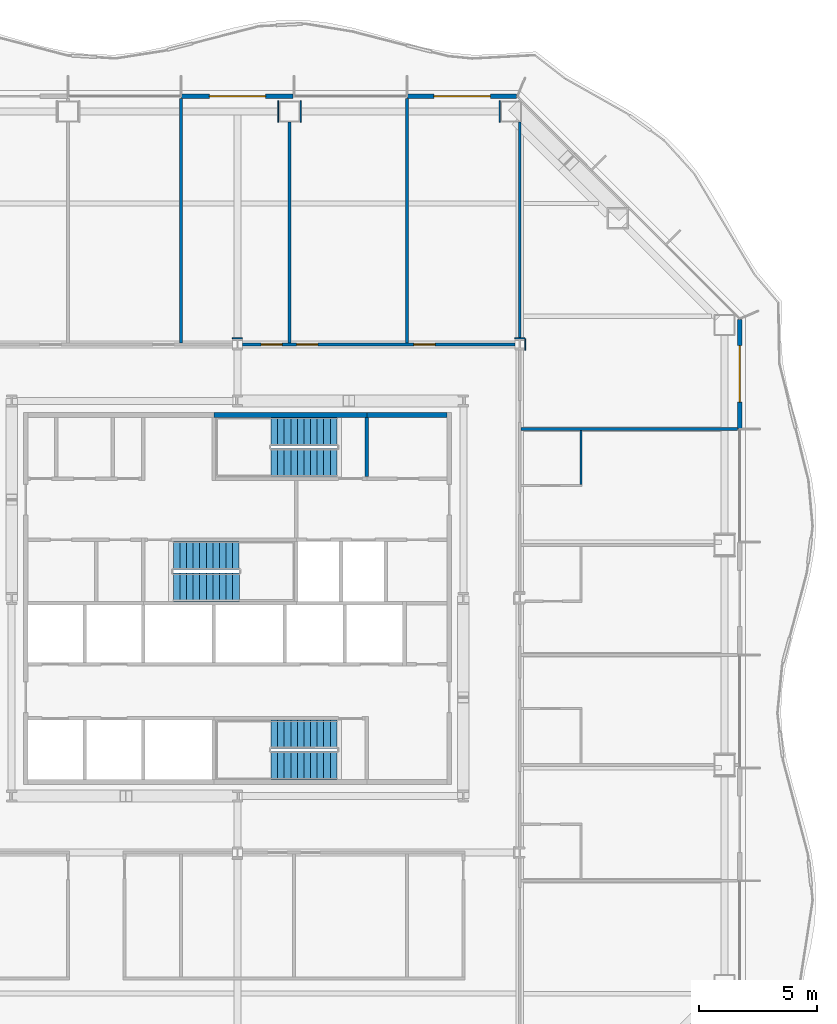
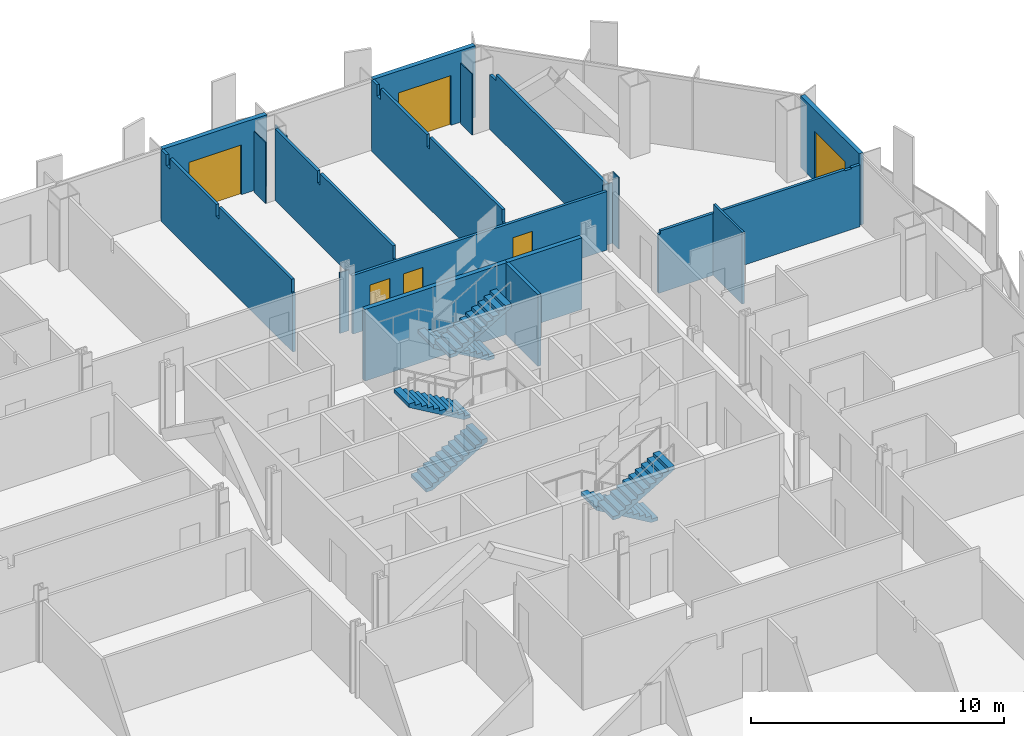
# One storey, part 13 of 18: 19 walls, 6 doors, 6 stair flights, 6 openings, 3 elements without a shape of their own.
"""IFC4 building model written with IfcOpenShell, lengths in metres."""

from ifc_helpers import new_model, si_unit, direction, frame, frame_2d, origin, place, context, subcontext, project, spatial, polyline, rectangle, outline, extrude, material, layer, layer_set, type_object, element, fill, aggregate, save


model = new_model("IFC4")

# Units and contexts
model_context = context("Model", 3, precision=1e-05, world=origin(), true_north=direction((0.0, 1.0)))
body_context = subcontext(model_context, "Body", "Model", "MODEL_VIEW")
ifc_project = project(units=[si_unit("LENGTHUNIT", "METRE"), si_unit("AREAUNIT", "SQUARE_METRE"), si_unit("VOLUMEUNIT", "CUBIC_METRE"), si_unit("PLANEANGLEUNIT", "RADIAN"), si_unit("MASSUNIT", "GRAM", prefix="KILO")], contexts=[model_context])

# Site, building, storey
site_placement = place(None, origin())
site = spatial("IfcSite", under=ifc_project, at=site_placement, CompositionType="ELEMENT")
building_placement = place(site_placement, origin())
building = spatial("IfcBuilding", under=site, at=building_placement, Name="Cairn Pilgrim Tower", CompositionType="ELEMENT")
storey_placement = place(building_placement, frame((0.0, 0.0, 65.39990234375)))
storey = spatial("IfcBuildingStorey", under=building, at=storey_placement, Name="L14", CompositionType="ELEMENT", Elevation=65.39990234375)

# Wall, opening, door
ifc_material_1 = material(Name="Bronze anodised aluminium insulated sandwich panel with mineral wool fill", Category="aluminium")
ifc_layer_1 = layer(ifc_material_1, 0.199951171875)
ifc_layer_set_1 = layer_set([ifc_layer_1], Name="BRONZE INFILL FRAME WALL 200")
wall_type_1 = type_object("IfcWallType", Name="BRONZE INFILL FRAME WALL 200", PredefinedType="NOTDEFINED", material=ifc_layer_set_1)
wall_1_placement = place(storey_placement, frame((28.550048828125, 9.6298828125, 0.0), z_axis=(0.0, 0.0, 1.0), x_axis=(0.0, 1.0, 0.0)))
wall_1 = element("IfcWall", 1, at=wall_1_placement, inside=storey, type_object=wall_type_1, Name="Bronze infill frame wall IW-E6", PredefinedType="NOTDEFINED", context=body_context, shape_type="SweptSolid", body=[
    extrude(rectangle(XDim=4.62646484375, YDim=0.199951171875, at=frame_2d((2.313232421875, 0.0))), origin(), (0.0, 0.0, 1.0), 3.4501953125),
])
opening_1_placement = place(wall_1_placement, frame((1.117919921875, 0.0, 0.0)))
opening_1 = element("IfcOpeningElement", 2, at=opening_1_placement, cuts=wall_1, Name="Opening 1428B", PredefinedType="OPENING", context=body_context, shape_type="SweptSolid", body=[
    extrude(rectangle(XDim=2.39990234375, YDim=2.39990234375, at=frame_2d((1.199951171875, 1.199951171875))), frame((0.0, 0.10986328125, 0.0), z_axis=(0.0, -1.0, 0.0), x_axis=(1.0, 0.0, 0.0)), (0.0, 0.0, 1.0), 0.219970703125),
])
ifc_material_2 = material(Name="Bronze anodised aluminium frame with tinted low-E glass", Category="aluminium")
door_type_1 = type_object("IfcDoorType", Name="BALCONY SLIDING DOOR 2400x2400", OperationType="DOUBLE_DOOR_SLIDING", PredefinedType="DOOR", material=ifc_material_2)
door_1_placement = place(opening_1_placement, origin())
door_1 = element("IfcDoor", 3, at=door_1_placement, inside=storey, type_object=door_type_1, Name="Balcony sliding door 1428B", OperationType="SINGLE_SWING_LEFT", OverallHeight=2.39990234375, OverallWidth=2.39990234375, PredefinedType="DOOR", context=body_context, shape_type="SweptSolid", body=[
    extrude(rectangle(XDim=2.39990234375, YDim=2.39990234375, at=frame_2d((1.199951171875, 1.199951171875))), frame((0.0, 0.02490234375, 0.0), z_axis=(0.0, -1.0, 0.0), x_axis=(1.0, 0.0, 0.0)), (0.0, 0.0, 1.0), 0.050048828125),
])
fill(opening_1, door_1)

wall_2_placement = place(storey_placement, frame((19.056396484375, 23.75, 0.0), z_axis=(0.0, 0.0, 1.0), x_axis=(-1.0, 0.0, 0.0)))
wall_2 = element("IfcWall", 4, at=wall_2_placement, inside=storey, type_object=wall_type_1, Name="Bronze infill frame wall IW-N1", PredefinedType="NOTDEFINED", context=body_context, shape_type="SweptSolid", body=[
    extrude(rectangle(XDim=4.62646484375, YDim=0.199951171875, at=frame_2d((2.313232421875, 0.0))), origin(), (0.0, 0.0, 1.0), 3.4501953125),
])
opening_2_placement = place(wall_2_placement, frame((1.108154296875, 0.0, 0.0)))
opening_2 = element("IfcOpeningElement", 5, at=opening_2_placement, cuts=wall_2, Name="Opening 1422B", PredefinedType="OPENING", context=body_context, shape_type="SweptSolid", body=[
    extrude(rectangle(XDim=2.39990234375, YDim=2.39990234375, at=frame_2d((1.199951171875, 1.199951171875))), frame((0.0, 0.10986328125, 0.0), z_axis=(0.0, -1.0, 0.0), x_axis=(1.0, 0.0, 0.0)), (0.0, 0.0, 1.0), 0.219970703125),
])
door_2_placement = place(opening_2_placement, origin())
door_2 = element("IfcDoor", 6, at=door_2_placement, inside=storey, type_object=door_type_1, Name="Balcony sliding door 1422B", OperationType="SINGLE_SWING_LEFT", OverallHeight=2.39990234375, OverallWidth=2.39990234375, PredefinedType="DOOR", context=body_context, shape_type="SweptSolid", body=[
    extrude(rectangle(XDim=2.39990234375, YDim=2.39990234375, at=frame_2d((1.199951171875, 1.199951171875))), frame((0.0, 0.02490234375, 0.0), z_axis=(0.0, -1.0, 0.0), x_axis=(1.0, 0.0, 0.0)), (0.0, 0.0, 1.0), 0.050048828125),
])
fill(opening_2, door_2)

wall_3_placement = place(storey_placement, frame((9.570068359375, 23.75, 0.0), z_axis=(0.0, 0.0, 1.0), x_axis=(-1.0, 0.0, 0.0)))
wall_3 = element("IfcWall", 7, at=wall_3_placement, inside=storey, type_object=wall_type_1, Name="Bronze infill frame wall IW-N3", PredefinedType="NOTDEFINED", context=body_context, shape_type="SweptSolid", body=[
    extrude(rectangle(XDim=4.739990234375, YDim=0.199951171875, at=frame_2d((2.3701171875, 0.0))), origin(), (0.0, 0.0, 1.0), 3.4501953125),
])
opening_3_placement = place(wall_3_placement, frame((1.169921875, 0.0, 0.0)))
opening_3 = element("IfcOpeningElement", 8, at=opening_3_placement, cuts=wall_3, Name="Opening 1420B", PredefinedType="OPENING", context=body_context, shape_type="SweptSolid", body=[
    extrude(rectangle(XDim=2.39990234375, YDim=2.39990234375, at=frame_2d((1.199951171875, 1.199951171875))), frame((0.0, 0.10986328125, 0.0), z_axis=(0.0, -1.0, 0.0), x_axis=(1.0, 0.0, 0.0)), (0.0, 0.0, 1.0), 0.219970703125),
])
door_3_placement = place(opening_3_placement, origin())
door_3 = element("IfcDoor", 9, at=door_3_placement, inside=storey, type_object=door_type_1, Name="Balcony sliding door 1420B", OperationType="SINGLE_SWING_LEFT", OverallHeight=2.39990234375, OverallWidth=2.39990234375, PredefinedType="DOOR", context=body_context, shape_type="SweptSolid", body=[
    extrude(rectangle(XDim=2.39990234375, YDim=2.39990234375, at=frame_2d((1.199951171875, 1.199951171875))), frame((0.0, 0.02490234375, 0.0), z_axis=(0.0, -1.0, 0.0), x_axis=(1.0, 0.0, 0.0)), (0.0, 0.0, 1.0), 0.050048828125),
])
fill(opening_3, door_3)

# Walls
ifc_material_3 = material(Name="Concrete C32/40", Category="concrete")
ifc_layer_2 = layer(ifc_material_3, 0.199951171875)
ifc_layer_set_2 = layer_set([ifc_layer_2], Name="CORE OUTER WALL 200 EI 120")
wall_type_2 = type_object("IfcWallType", Name="CORE OUTER WALL 200 EI 120", PredefinedType="SOLIDWALL", material=ifc_layer_set_2)
wall_4_placement = place(storey_placement, frame((12.699951171875, 10.199951171875, 0.0), z_axis=(0.0, 0.0, 1.0), x_axis=(1.0, 0.0, 0.0)))
element("IfcWall", 10, at=wall_4_placement, inside=storey, type_object=wall_type_2, Name="CW:L14:H11-3", PredefinedType="SOLIDWALL", context=body_context, shape_type="SweptSolid", body=[
    extrude(rectangle(XDim=3.400146484375, YDim=0.199951171875, at=frame_2d((1.7001953125, 0.0))), origin(), (0.0, 0.0, 1.0), 3.4501953125),
])
ifc_material_4 = material(Name="Gypsum partition")
ifc_layer_3 = layer(ifc_material_4, 0.10009765625)
ifc_layer_set_3 = layer_set([ifc_layer_3], Name="PARTITION 100 DRYWALL")
wall_type_3 = type_object("IfcWallType", Name="PARTITION 100 DRYWALL", PredefinedType="PARTITIONING", material=ifc_layer_set_3)
wall_5_placement = place(storey_placement, frame((21.800048828125, 7.25, 0.0), z_axis=(0.0, 0.0, 1.0), x_axis=(0.0, 1.0, 0.0)))
element("IfcWall", 11, at=wall_5_placement, inside=storey, type_object=wall_type_3, Name="PARTITION W058", PredefinedType="PARTITIONING", context=body_context, shape_type="SweptSolid", body=[
    extrude(outline(polyline([(0.0, 0.0), (2.28759765625, 0.0), (2.28759765625, 2.97998046875), (2.2548828125, 2.97998046875), (2.2529296875, 3.4501953125), (0.0, 3.4501953125), (0.0, 0.0)])), frame((0.0, 0.050048828125, 0.0), z_axis=(0.0, -1.0, 0.0), x_axis=(1.0, 0.0, 0.0)), (0.0, 0.0, 1.0), 0.10009765625),
])
ifc_layer_4 = layer(ifc_material_4, 0.125)
ifc_layer_set_4 = layer_set([ifc_layer_4], Name="PARTITION 125 DRYWALL EI 60")
wall_type_4 = type_object("IfcWallType", Name="PARTITION 125 DRYWALL EI 60", PredefinedType="PARTITIONING", material=ifc_layer_set_4)
wall_6_placement = place(storey_placement, frame((19.262451171875, 9.60009765625, 0.0), z_axis=(0.0, 0.0, 1.0), x_axis=(1.0, 0.0, 0.0)))
element("IfcWall", 12, at=wall_6_placement, inside=storey, type_object=wall_type_4, Name="PARTITION W060", PredefinedType="PARTITIONING", context=body_context, shape_type="SweptSolid", body=[
    extrude(outline(polyline([(0.0, 0.0), (9.1875, 0.0), (9.1875, 2.97998046875), (8.78759765625, 2.97998046875), (8.785400390625, 2.93017578125), (8.487548828125, 2.93017578125), (8.485595703125, 2.97998046875), (0.08740234375, 2.97998046875), (0.08544921875, 2.830078125), (0.0, 2.830078125), (0.0, 0.0)])), frame((0.0, 0.0625, 0.0), z_axis=(0.0, -1.0, 0.0), x_axis=(1.0, 0.0, 0.0)), (0.0, 0.0, 1.0), 0.125),
])

# Wall, openings, doors
wall_7_placement = place(storey_placement, frame((7.412109375, 13.199951171875, 0.0), z_axis=(0.0, 0.0, 1.0), x_axis=(1.0, 0.0, 0.0)))
wall_7 = element("IfcWall", 13, at=wall_7_placement, inside=storey, type_object=wall_type_4, Name="PARTITION W065", PredefinedType="PARTITIONING", context=body_context, shape_type="SweptSolid", body=[
    extrude(rectangle(XDim=11.575927734375, YDim=0.125, at=frame_2d((5.7880859375, 0.0))), origin(), (0.0, 0.0, 1.0), 2.830078125),
])
opening_4_placement = place(wall_7_placement, frame((0.7880859375, 0.0, 0.0)))
opening_4 = element("IfcOpeningElement", 14, at=opening_4_placement, cuts=wall_7, Name="Opening 1420", PredefinedType="OPENING", context=body_context, shape_type="SweptSolid", body=[
    extrude(rectangle(XDim=0.89990234375, YDim=2.10009765625, at=frame_2d((0.449951171875, 1.050048828125))), frame((0.0, 0.072509765625, 0.0), z_axis=(0.0, -1.0, 0.0), x_axis=(1.0, 0.0, 0.0)), (0.0, 0.0, 1.0), 0.14501953125),
])
opening_5_placement = place(wall_7_placement, frame((2.302001953125, 0.0, 0.0)))
opening_5 = element("IfcOpeningElement", 15, at=opening_5_placement, cuts=wall_7, Name="Opening 1421", PredefinedType="OPENING", context=body_context, shape_type="SweptSolid", body=[
    extrude(rectangle(XDim=0.89990234375, YDim=2.10009765625, at=frame_2d((0.449951171875, 1.050048828125))), frame((0.0, 0.072509765625, 0.0), z_axis=(0.0, -1.0, 0.0), x_axis=(1.0, 0.0, 0.0)), (0.0, 0.0, 1.0), 0.14501953125),
])
opening_6_placement = place(wall_7_placement, frame((7.2880859375, 0.0, 0.0)))
opening_6 = element("IfcOpeningElement", 16, at=opening_6_placement, cuts=wall_7, Name="Opening 1422", PredefinedType="OPENING", context=body_context, shape_type="SweptSolid", body=[
    extrude(rectangle(XDim=0.89990234375, YDim=2.10009765625, at=frame_2d((0.449951171875, 1.050048828125))), frame((0.0, 0.072509765625, 0.0), z_axis=(0.0, -1.0, 0.0), x_axis=(1.0, 0.0, 0.0)), (0.0, 0.0, 1.0), 0.14501953125),
])
ifc_material_5 = material(Name="Steel-faced fire door leaf", Category="steel")
door_type_2 = type_object("IfcDoorType", Name="FIRE DOOR 900x2100 FD30S", OperationType="NOTDEFINED", PredefinedType="DOOR", material=ifc_material_5)
door_4_placement = place(opening_4_placement, origin())
door_4 = element("IfcDoor", 17, at=door_4_placement, inside=storey, type_object=door_type_2, Name="DOOR 1420", OperationType="SINGLE_SWING_LEFT", OverallHeight=2.10009765625, OverallWidth=0.89990234375, PredefinedType="DOOR", context=body_context, shape_type="SweptSolid", body=[
    extrude(rectangle(XDim=0.89990234375, YDim=2.10009765625, at=frame_2d((0.449951171875, 1.050048828125))), frame((0.0, 0.02490234375, 0.0), z_axis=(0.0, -1.0, 0.0), x_axis=(1.0, 0.0, 0.0)), (0.0, 0.0, 1.0), 0.050048828125),
])
fill(opening_4, door_4)
door_5_placement = place(opening_5_placement, origin())
door_5 = element("IfcDoor", 18, at=door_5_placement, inside=storey, type_object=door_type_2, Name="DOOR 1421", OperationType="SINGLE_SWING_RIGHT", OverallHeight=2.10009765625, OverallWidth=0.89990234375, PredefinedType="DOOR", context=body_context, shape_type="SweptSolid", body=[
    extrude(rectangle(XDim=0.89990234375, YDim=2.10009765625, at=frame_2d((0.449951171875, 1.050048828125))), frame((0.0, 0.02490234375, 0.0), z_axis=(0.0, -1.0, 0.0), x_axis=(1.0, 0.0, 0.0)), (0.0, 0.0, 1.0), 0.050048828125),
])
fill(opening_5, door_5)
door_6_placement = place(opening_6_placement, origin())
door_6 = element("IfcDoor", 19, at=door_6_placement, inside=storey, type_object=door_type_2, Name="DOOR 1422", OperationType="SINGLE_SWING_LEFT", OverallHeight=2.10009765625, OverallWidth=0.89990234375, PredefinedType="DOOR", context=body_context, shape_type="SweptSolid", body=[
    extrude(rectangle(XDim=0.89990234375, YDim=2.10009765625, at=frame_2d((0.449951171875, 1.050048828125))), frame((0.0, 0.02490234375, 0.0), z_axis=(0.0, -1.0, 0.0), x_axis=(1.0, 0.0, 0.0)), (0.0, 0.0, 1.0), 0.050048828125),
])
fill(opening_6, door_6)

# Walls
wall_8_placement = place(storey_placement, frame((4.800048828125, 13.262451171875, 0.0), z_axis=(0.0, 0.0, 1.0), x_axis=(0.0, 1.0, 0.0)))
element("IfcWall", 20, at=wall_8_placement, inside=storey, type_object=wall_type_4, Name="PARTITION W072", PredefinedType="PARTITIONING", context=body_context, shape_type="SweptSolid", body=[
    extrude(outline(polyline([(0.0, 0.0), (10.387451171875, 0.0), (10.387451171875, 3.4501953125), (9.987548828125, 3.4501953125), (9.985595703125, 2.93017578125), (9.6875, 2.93017578125), (9.685546875, 3.4501953125), (6.04248046875, 3.4501953125), (6.04052734375, 2.880126953125), (5.83251953125, 2.880126953125), (5.83056640625, 3.4501953125), (0.08740234375, 3.4501953125), (0.08544921875, 2.830078125), (0.0, 2.830078125), (0.0, 0.0)])), frame((0.0, 0.0625, 0.0), z_axis=(0.0, -1.0, 0.0), x_axis=(1.0, 0.0, 0.0)), (0.0, 0.0, 1.0), 0.125),
])
wall_9_placement = place(storey_placement, frame((9.4140625, 13.262451171875, 0.0), z_axis=(0.0, 0.0, 1.0), x_axis=(0.0, 1.0, 0.0)))
element("IfcWall", 21, at=wall_9_placement, inside=storey, type_object=wall_type_4, Name="PARTITION W073", PredefinedType="PARTITIONING", context=body_context, shape_type="SweptSolid", body=[
    extrude(outline(polyline([(0.0, 0.0), (9.387451171875, 0.0), (9.387451171875, 3.4501953125), (6.04248046875, 3.4501953125), (6.04052734375, 2.880126953125), (5.83251953125, 2.880126953125), (5.83056640625, 3.4501953125), (0.08740234375, 3.4501953125), (0.08544921875, 2.830078125), (0.0, 2.830078125), (0.0, 0.0)])), frame((0.0, 0.0625, 0.0), z_axis=(0.0, -1.0, 0.0), x_axis=(1.0, 0.0, 0.0)), (0.0, 0.0, 1.0), 0.125),
])
wall_10_placement = place(storey_placement, frame((14.39990234375, 13.262451171875, 0.0), z_axis=(0.0, 0.0, 1.0), x_axis=(0.0, 1.0, 0.0)))
element("IfcWall", 22, at=wall_10_placement, inside=storey, type_object=wall_type_4, Name="PARTITION W074", PredefinedType="PARTITIONING", context=body_context, shape_type="SweptSolid", body=[
    extrude(outline(polyline([(0.0, 0.0), (10.387451171875, 0.0), (10.387451171875, 3.4501953125), (9.987548828125, 3.4501953125), (9.985595703125, 2.93017578125), (9.6875, 2.93017578125), (9.685546875, 3.4501953125), (6.04248046875, 3.4501953125), (6.04052734375, 2.880126953125), (5.83251953125, 2.880126953125), (5.83056640625, 3.4501953125), (0.08740234375, 3.4501953125), (0.08544921875, 2.830078125), (0.0, 2.830078125), (0.0, 0.0)])), frame((0.0, 0.0625, 0.0), z_axis=(0.0, -1.0, 0.0), x_axis=(1.0, 0.0, 0.0)), (0.0, 0.0, 1.0), 0.125),
])
wall_11_placement = place(storey_placement, frame((19.199951171875, 13.43701171875, 0.0), z_axis=(0.0, 0.0, 1.0), x_axis=(0.0, 1.0, 0.0)))
element("IfcWall", 23, at=wall_11_placement, inside=storey, type_object=wall_type_4, Name="PARTITION W076", PredefinedType="PARTITIONING", context=body_context, shape_type="SweptSolid", body=[
    extrude(outline(polyline([(0.0, 0.0), (9.212890625, 0.0), (9.212890625, 2.630126953125), (8.732666015625, 2.630126953125), (8.730712890625, 2.93017578125), (0.0, 2.93017578125), (0.0, 0.0)])), frame((0.0, 0.0625, 0.0), z_axis=(0.0, -1.0, 0.0), x_axis=(1.0, 0.0, 0.0)), (0.0, 0.0, 1.0), 0.125),
])
ifc_layer_5 = layer(ifc_material_4, 0.050048828125)
ifc_layer_set_5 = layer_set([ifc_layer_5], Name="PARTITION 50 DRYWALL EI 60")
wall_type_5 = type_object("IfcWallType", Name="PARTITION 50 DRYWALL EI 60", PredefinedType="PARTITIONING", material=ifc_layer_set_5)
wall_12_placement = place(storey_placement, frame((19.43701171875, 12.962890625, 0.0), z_axis=(0.0, 0.0, 1.0), x_axis=(0.0, 1.0, 0.0)))
element("IfcWall", 24, at=wall_12_placement, inside=storey, type_object=wall_type_5, Name="COLUMN CASING WC11", PredefinedType="PARTITIONING", context=body_context, shape_type="SweptSolid", body=[
    extrude(rectangle(XDim=0.47412109375, YDim=0.050048828125, at=frame_2d((0.237060546875, 0.0))), origin(), (0.0, 0.0, 1.0), 3.4501953125),
])
for number, where, z_axis, x_axis, name in (
    (25, (6.988037109375, 13.4619140625, 0.0), (0.0, 0.0, 1.0), (1.0, 0.0, 0.0), "COLUMN CASING WC31"),
    (26, (18.988037109375, 13.4619140625, 0.0), (0.0, 0.0, 1.0), (1.0, 0.0, 0.0), "COLUMN CASING WC32"),
):
    element("IfcWall", number, at=place(storey_placement, frame(where, z_axis=z_axis, x_axis=x_axis)), inside=storey, type_object=wall_type_5, Name=name, PredefinedType="PARTITIONING", context=body_context, shape_type="SweptSolid", body=[
        extrude(rectangle(XDim=0.424072265625, YDim=0.050048828125, at=frame_2d((0.2119140625, 0.0))), origin(), (0.0, 0.0, 1.0), 2.93017578125),
    ])
for number, where, z_axis, x_axis, name in (
    (27, (18.352294921875, 22.64990234375, 0.0), (0.0, 0.0, 1.0), (0.0, 1.0, 0.0), "COLUMN CASING WC33"),
    (28, (8.938720703125, 22.64990234375, 0.0), (0.0, 0.0, 1.0), (0.0, 1.0, 0.0), "COLUMN CASING WC40"),
    (29, (9.888671875, 22.64990234375, 0.0), (0.0, 0.0, 1.0), (0.0, 1.0, 0.0), "COLUMN CASING WC41"),
):
    element("IfcWall", number, at=place(storey_placement, frame(where, z_axis=z_axis, x_axis=x_axis)), inside=storey, type_object=wall_type_5, Name=name, PredefinedType="PARTITIONING", context=body_context, shape_type="SweptSolid", body=[
        extrude(rectangle(XDim=0.900146484375, YDim=0.050048828125, at=frame_2d((0.4501953125, 0.0))), origin(), (0.0, 0.0, 1.0), 2.93017578125),
    ])
ifc_material_6 = material(Name="Concrete C35/45", Category="concrete")
ifc_layer_6 = layer(ifc_material_6, 0.14990234375)
ifc_layer_set_6 = layer_set([ifc_layer_6], Name="STAIR SHAFT WALL 150 EI 120")
wall_type_6 = type_object("IfcWallType", Name="STAIR SHAFT WALL 150 EI 120", PredefinedType="SOLIDWALL", material=ifc_layer_set_6)
wall_13_placement = place(storey_placement, frame((12.699951171875, 7.574951171875, 0.0), z_axis=(0.0, 0.0, 1.0), x_axis=(0.0, 1.0, 0.0)))
element("IfcWall", 30, at=wall_13_placement, inside=storey, type_object=wall_type_6, Name="CW:L14:V31", PredefinedType="SOLIDWALL", context=body_context, shape_type="SweptSolid", body=[
    extrude(rectangle(XDim=2.525146484375, YDim=0.14990234375, at=frame_2d((1.2626953125, 0.0))), origin(), (0.0, 0.0, 1.0), 3.4501953125),
])
ifc_layer_7 = layer(ifc_material_6, 0.199951171875)
ifc_layer_set_7 = layer_set([ifc_layer_7], Name="STAIR SHAFT WALL 200 EI 120")
wall_type_7 = type_object("IfcWallType", Name="STAIR SHAFT WALL 200 EI 120", PredefinedType="SOLIDWALL", material=ifc_layer_set_7)
wall_14_placement = place(storey_placement, frame((6.199951171875, 10.199951171875, 0.0), z_axis=(0.0, 0.0, 1.0), x_axis=(1.0, 0.0, 0.0)))
element("IfcWall", 31, at=wall_14_placement, inside=storey, type_object=wall_type_7, Name="CW:L14:H11-2", PredefinedType="SOLIDWALL", context=body_context, shape_type="SweptSolid", body=[
    extrude(rectangle(XDim=6.5, YDim=0.199951171875, at=frame_2d((3.25, 0.0))), origin(), (0.0, 0.0, 1.0), 3.4501953125),
])

# Stair, stair flights
stair_type = type_object("IfcStairType", Name="EXIT STAIR 1200", PredefinedType="HALF_TURN_STAIR", material=ifc_material_3)
stair_1_placement = place(storey_placement, origin())
stair_1 = element("IfcStair", 32, at=stair_1_placement, inside=storey, type_object=stair_type, Name="L14 Exit Stair A", PredefinedType="HALF_TURN_STAIR")
stair_flight_type = type_object("IfcStairFlightType", Name="STAIR FLIGHT 1200", PredefinedType="STRAIGHT", material=ifc_material_3)
stair_flight_1_placement = place(storey_placement, frame((11.425048828125, -3.375, 0.0), z_axis=(0.0, 0.0, 1.0), x_axis=(-1.0, 0.0, 0.0)))
stair_flight_1 = element("IfcStairFlight", 33, at=stair_flight_1_placement, type_object=stair_flight_type, Name="ST-A flight 1", NumberOfRisers=11, NumberOfTreads=10, PredefinedType="STRAIGHT", RiserHeight=0.163636364, TreadLength=0.28, context=body_context, shape_type="SweptSolid", body=[
    extrude(outline(polyline([(0.0, 0.0), (0.0, 0.16357421875), (0.280029296875, 0.16357421875), (0.280029296875, 0.327392578125), (0.56005859375, 0.327392578125), (0.56005859375, 0.490966796875), (0.840087890625, 0.490966796875), (0.840087890625, 0.654541015625), (1.1201171875, 0.654541015625), (1.1201171875, 0.818115234375), (1.39990234375, 0.818115234375), (1.39990234375, 0.98193359375), (1.679931640625, 0.98193359375), (1.679931640625, 1.1455078125), (1.9599609375, 1.1455078125), (1.9599609375, 1.30908203125), (2.239990234375, 1.30908203125), (2.239990234375, 1.47265625), (2.52001953125, 1.47265625), (2.52001953125, 1.636474609375), (2.800048828125, 1.636474609375), (2.800048828125, 1.800048828125), (2.800048828125, 1.462646484375), (0.297119140625, 0.0), (0.0, 0.0)])), frame((0.0, 0.60009765625, 0.0), z_axis=(0.0, -1.0, 0.0), x_axis=(1.0, 0.0, 0.0)), (0.0, 0.0, 1.0), 1.199951171875),
])
stair_flight_2_placement = place(storey_placement, frame((8.625, -4.699951171875, 1.800048828125), z_axis=(0.0, 0.0, 1.0), x_axis=(1.0, 0.0, 0.0)))
stair_flight_2 = element("IfcStairFlight", 34, at=stair_flight_2_placement, type_object=stair_flight_type, Name="ST-A flight 2", NumberOfRisers=11, NumberOfTreads=10, PredefinedType="STRAIGHT", RiserHeight=0.163636364, TreadLength=0.28, context=body_context, shape_type="SweptSolid", body=[
    extrude(outline(polyline([(0.0, 0.0), (0.0, 0.16357421875), (0.280029296875, 0.16357421875), (0.280029296875, 0.327392578125), (0.56005859375, 0.327392578125), (0.56005859375, 0.490966796875), (0.840087890625, 0.490966796875), (0.840087890625, 0.654541015625), (1.1201171875, 0.654541015625), (1.1201171875, 0.818115234375), (1.39990234375, 0.818115234375), (1.39990234375, 0.98193359375), (1.679931640625, 0.98193359375), (1.679931640625, 1.1455078125), (1.9599609375, 1.1455078125), (1.9599609375, 1.30908203125), (2.239990234375, 1.30908203125), (2.239990234375, 1.47265625), (2.52001953125, 1.47265625), (2.52001953125, 1.636474609375), (2.800048828125, 1.636474609375), (2.800048828125, 1.800048828125), (2.800048828125, 1.462646484375), (0.297119140625, 0.0), (0.0, 0.0)])), frame((0.0, 0.60009765625, 0.0), z_axis=(0.0, -1.0, 0.0), x_axis=(1.0, 0.0, 0.0)), (0.0, 0.0, 1.0), 1.199951171875),
])
aggregate(stair_1, [stair_flight_1, stair_flight_2])

stair_2_placement = place(storey_placement, origin())
stair_2 = element("IfcStair", 35, at=stair_2_placement, inside=storey, type_object=stair_type, Name="L14 Exit Stair B", PredefinedType="HALF_TURN_STAIR")
stair_flight_3_placement = place(storey_placement, frame((4.47509765625, 2.875, 0.0), z_axis=(0.0, 0.0, 1.0), x_axis=(1.0, 0.0, 0.0)))
stair_flight_3 = element("IfcStairFlight", 36, at=stair_flight_3_placement, type_object=stair_flight_type, Name="ST-B flight 1", NumberOfRisers=11, NumberOfTreads=10, PredefinedType="STRAIGHT", RiserHeight=0.163636364, TreadLength=0.28, context=body_context, shape_type="SweptSolid", body=[
    extrude(outline(polyline([(0.0, 0.0), (0.0, 0.16357421875), (0.280029296875, 0.16357421875), (0.280029296875, 0.327392578125), (0.56005859375, 0.327392578125), (0.56005859375, 0.490966796875), (0.840087890625, 0.490966796875), (0.840087890625, 0.654541015625), (1.1201171875, 0.654541015625), (1.1201171875, 0.818115234375), (1.39990234375, 0.818115234375), (1.39990234375, 0.98193359375), (1.679931640625, 0.98193359375), (1.679931640625, 1.1455078125), (1.9599609375, 1.1455078125), (1.9599609375, 1.30908203125), (2.239990234375, 1.30908203125), (2.239990234375, 1.47265625), (2.52001953125, 1.47265625), (2.52001953125, 1.636474609375), (2.800048828125, 1.636474609375), (2.800048828125, 1.800048828125), (2.800048828125, 1.462646484375), (0.297119140625, 0.0), (0.0, 0.0)])), frame((0.0, 0.60009765625, 0.0), z_axis=(0.0, -1.0, 0.0), x_axis=(1.0, 0.0, 0.0)), (0.0, 0.0, 1.0), 1.199951171875),
])
stair_flight_4_placement = place(storey_placement, frame((7.27490234375, 4.22509765625, 1.800048828125), z_axis=(0.0, 0.0, 1.0), x_axis=(-1.0, 0.0, 0.0)))
stair_flight_4 = element("IfcStairFlight", 37, at=stair_flight_4_placement, type_object=stair_flight_type, Name="ST-B flight 2", NumberOfRisers=11, NumberOfTreads=10, PredefinedType="STRAIGHT", RiserHeight=0.163636364, TreadLength=0.28, context=body_context, shape_type="SweptSolid", body=[
    extrude(outline(polyline([(0.0, 0.0), (0.0, 0.16357421875), (0.280029296875, 0.16357421875), (0.280029296875, 0.327392578125), (0.56005859375, 0.327392578125), (0.56005859375, 0.490966796875), (0.840087890625, 0.490966796875), (0.840087890625, 0.654541015625), (1.1201171875, 0.654541015625), (1.1201171875, 0.818115234375), (1.39990234375, 0.818115234375), (1.39990234375, 0.98193359375), (1.679931640625, 0.98193359375), (1.679931640625, 1.1455078125), (1.9599609375, 1.1455078125), (1.9599609375, 1.30908203125), (2.239990234375, 1.30908203125), (2.239990234375, 1.47265625), (2.52001953125, 1.47265625), (2.52001953125, 1.636474609375), (2.800048828125, 1.636474609375), (2.800048828125, 1.800048828125), (2.800048828125, 1.462646484375), (0.297119140625, 0.0), (0.0, 0.0)])), frame((0.0, 0.60009765625, 0.0), z_axis=(0.0, -1.0, 0.0), x_axis=(1.0, 0.0, 0.0)), (0.0, 0.0, 1.0), 1.199951171875),
])
aggregate(stair_2, [stair_flight_3, stair_flight_4])

stair_3_placement = place(storey_placement, origin())
stair_3 = element("IfcStair", 38, at=stair_3_placement, inside=storey, type_object=stair_type, Name="L14 Exit Stair C", PredefinedType="HALF_TURN_STAIR")
stair_flight_5_placement = place(storey_placement, frame((11.425048828125, 9.5, 0.0), z_axis=(0.0, 0.0, 1.0), x_axis=(-1.0, 0.0, 0.0)))
stair_flight_5 = element("IfcStairFlight", 39, at=stair_flight_5_placement, type_object=stair_flight_type, Name="ST-C flight 1", NumberOfRisers=11, NumberOfTreads=10, PredefinedType="STRAIGHT", RiserHeight=0.163636364, TreadLength=0.28, context=body_context, shape_type="SweptSolid", body=[
    extrude(outline(polyline([(0.0, 0.0), (0.0, 0.16357421875), (0.280029296875, 0.16357421875), (0.280029296875, 0.327392578125), (0.56005859375, 0.327392578125), (0.56005859375, 0.490966796875), (0.840087890625, 0.490966796875), (0.840087890625, 0.654541015625), (1.1201171875, 0.654541015625), (1.1201171875, 0.818115234375), (1.39990234375, 0.818115234375), (1.39990234375, 0.98193359375), (1.679931640625, 0.98193359375), (1.679931640625, 1.1455078125), (1.9599609375, 1.1455078125), (1.9599609375, 1.30908203125), (2.239990234375, 1.30908203125), (2.239990234375, 1.47265625), (2.52001953125, 1.47265625), (2.52001953125, 1.636474609375), (2.800048828125, 1.636474609375), (2.800048828125, 1.800048828125), (2.800048828125, 1.462646484375), (0.297119140625, 0.0), (0.0, 0.0)])), frame((0.0, 0.60009765625, 0.0), z_axis=(0.0, -1.0, 0.0), x_axis=(1.0, 0.0, 0.0)), (0.0, 0.0, 1.0), 1.199951171875),
])
stair_flight_6_placement = place(storey_placement, frame((8.625, 8.175048828125, 1.800048828125), z_axis=(0.0, 0.0, 1.0), x_axis=(1.0, 0.0, 0.0)))
stair_flight_6 = element("IfcStairFlight", 40, at=stair_flight_6_placement, type_object=stair_flight_type, Name="ST-C flight 2", NumberOfRisers=11, NumberOfTreads=10, PredefinedType="STRAIGHT", RiserHeight=0.163636364, TreadLength=0.28, context=body_context, shape_type="SweptSolid", body=[
    extrude(outline(polyline([(0.0, 0.0), (0.0, 0.16357421875), (0.280029296875, 0.16357421875), (0.280029296875, 0.327392578125), (0.56005859375, 0.327392578125), (0.56005859375, 0.490966796875), (0.840087890625, 0.490966796875), (0.840087890625, 0.654541015625), (1.1201171875, 0.654541015625), (1.1201171875, 0.818115234375), (1.39990234375, 0.818115234375), (1.39990234375, 0.98193359375), (1.679931640625, 0.98193359375), (1.679931640625, 1.1455078125), (1.9599609375, 1.1455078125), (1.9599609375, 1.30908203125), (2.239990234375, 1.30908203125), (2.239990234375, 1.47265625), (2.52001953125, 1.47265625), (2.52001953125, 1.636474609375), (2.800048828125, 1.636474609375), (2.800048828125, 1.800048828125), (2.800048828125, 1.462646484375), (0.297119140625, 0.0), (0.0, 0.0)])), frame((0.0, 0.60009765625, 0.0), z_axis=(0.0, -1.0, 0.0), x_axis=(1.0, 0.0, 0.0)), (0.0, 0.0, 1.0), 1.199951171875),
])
aggregate(stair_3, [stair_flight_5, stair_flight_6])

save(model, "model.ifc")
